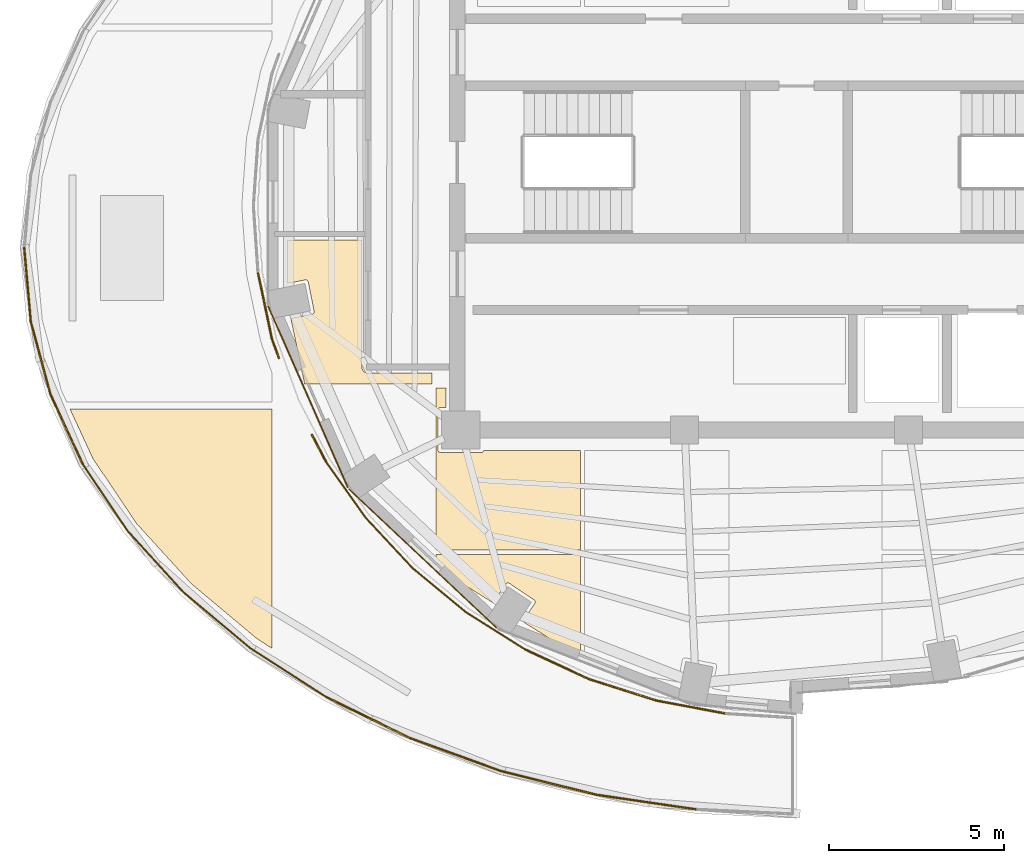
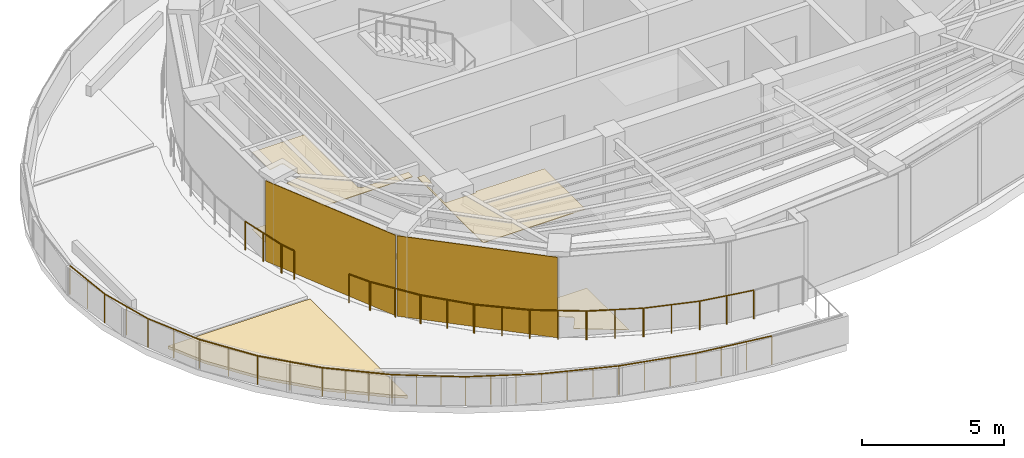
# One storey, part 12 of 15: 21 railings, 7 coverings.
"""IFC4 building model written with IfcOpenShell, lengths in metres."""

from ifc_helpers import new_model, si_unit, direction, frame, origin, origin_2d, place, context, subcontext, project, spatial, polyline, rectangle, circle, outline, extrude, material, layer, layer_set, type_object, element, save


model = new_model("IFC4")

# Units and contexts
model_context = context("Model", 3, precision=1e-05, world=origin(), true_north=direction((0.0, 1.0)))
body_context = subcontext(model_context, "Body", "Model", "MODEL_VIEW")
ifc_project = project(units=[si_unit("LENGTHUNIT", "METRE"), si_unit("AREAUNIT", "SQUARE_METRE"), si_unit("VOLUMEUNIT", "CUBIC_METRE"), si_unit("PLANEANGLEUNIT", "RADIAN"), si_unit("MASSUNIT", "GRAM", prefix="KILO")], contexts=[model_context])

# Site, building, storey
site_placement = place(None, origin())
site = spatial("IfcSite", under=ifc_project, at=site_placement, CompositionType="ELEMENT")
building_placement = place(site_placement, origin())
building = spatial("IfcBuilding", under=site, at=building_placement, Name="Lazwardi Medical Tower", CompositionType="ELEMENT")
storey_placement = place(building_placement, frame((0.0, 0.0, 269.615966796875)))
storey = spatial("IfcBuildingStorey", under=building, at=storey_placement, Name="L70", CompositionType="ELEMENT", Elevation=269.615966796875)

# Coverings
ifc_material_1 = material(Name="Anodised bronze aluminium cassette cladding", Category="aluminium")
ifc_layer_1 = layer(ifc_material_1, 0.030029296875)
ifc_layer_set_1 = layer_set([ifc_layer_1], Name="Anodised bronze aluminium cassette cladding")
covering_type_1 = type_object("IfcCoveringType", Name="COV-CLD-BRZ", PredefinedType="CLADDING", material=ifc_layer_set_1)
covering_1_placement = place(storey_placement, frame((22.032470703125, 21.3486328125, 0.0), z_axis=(0.0, 0.0, 1.0), x_axis=(0.402877682365, -0.915253829848, 0.0)))
element("IfcCovering", 1, at=covering_1_placement, inside=storey, type_object=covering_type_1, Name="L70 West drum ceramic/bronze cladding", PredefinedType="CLADDING", context=body_context, shape_type="SweptSolid", body=[
    extrude(rectangle(XDim=5.65576171875, YDim=0.030029296875, at=origin_2d()), origin(), (0.0, 0.0, 1.0), 3.447998046875),
])
covering_2_placement = place(storey_placement, frame((25.31201171875, 16.7294921875, 0.0), z_axis=(0.0, 0.0, 1.0), x_axis=(0.728254960063, -0.685306291481, 0.0)))
element("IfcCovering", 2, at=covering_2_placement, inside=storey, type_object=covering_type_1, Name="L70 West drum ceramic/bronze cladding", PredefinedType="CLADDING", context=body_context, shape_type="SweptSolid", body=[
    extrude(rectangle(XDim=5.78125, YDim=0.030029296875, at=origin_2d()), origin(), (0.0, 0.0, 1.0), 3.447998046875),
])
ifc_material_2 = material(Name="Acoustic mineral fibre tile")
ifc_layer_2 = layer(ifc_material_2, 0.02490234375)
ifc_layer_set_2 = layer_set([ifc_layer_2], Name="Acoustic mineral fibre tile")
covering_type_2 = type_object("IfcCoveringType", Name="COV-CLG-01", PredefinedType="CEILING", material=ifc_layer_set_2)
covering_3_placement = place(storey_placement, frame((0.0, 0.0, 3.302978515625)))
element("IfcCovering", 3, at=covering_3_placement, inside=storey, type_object=covering_type_2, Name="L70 Clinical Acoustic Ceiling 1", PredefinedType="CEILING", context=body_context, shape_type="SweptSolid", body=[
    extrude(outline(polyline([(25.57177734375, 22.02490234375), (23.75, 22.02490234375), (23.74560546875, 22.025146484375), (23.736328125, 22.025634765625), (23.7294921875, 22.0263671875), (23.72021484375, 22.027587890625), (23.7119140625, 22.029296875), (23.702880859375, 22.031494140625), (23.69580078125, 22.03369140625), (23.68701171875, 22.03662109375), (23.67919921875, 22.0400390625), (23.6708984375, 22.0439453125), (23.6640625, 22.047607421875), (23.656005859375, 22.052490234375), (23.6494140625, 22.056884765625), (23.641845703125, 22.0625), (23.63623046875, 22.067138671875), (23.62939453125, 22.0732421875), (23.623291015625, 22.079345703125), (23.6171875, 22.086181640625), (23.612548828125, 22.091796875), (23.60693359375, 22.099365234375), (23.602294921875, 22.10595703125), (23.59765625, 22.114013671875), (23.593994140625, 22.120849609375), (23.590087890625, 22.129150390625), (23.586669921875, 22.136962890625), (23.58349609375, 22.145751953125), (23.58154296875, 22.15283203125), (23.5791015625, 22.161865234375), (23.57763671875, 22.17041015625), (23.576416015625, 22.179443359375), (23.57568359375, 22.186279296875), (23.5751953125, 22.19580078125), (23.574951171875, 22.199951171875), (23.574951171875, 25.8349609375), (21.44189453125, 25.8349609375), (21.44189453125, 24.589599609375), (21.94580078125, 24.689697265625), (21.95361328125, 24.69091796875), (21.96142578125, 24.69140625), (21.96923828125, 24.69091796875), (21.97705078125, 24.689697265625), (21.984619140625, 24.68798828125), (21.9921875, 24.685302734375), (21.999267578125, 24.681884765625), (22.005859375, 24.677734375), (22.01220703125, 24.673095703125), (22.01806640625, 24.66796875), (22.023193359375, 24.662109375), (22.028076171875, 24.65576171875), (22.031982421875, 24.64892578125), (22.035400390625, 24.641845703125), (22.0380859375, 24.634521484375), (22.0400390625, 24.626953125), (22.203857421875, 23.802978515625), (22.205078125, 23.79541015625), (22.205322265625, 23.78759765625), (22.205078125, 23.77978515625), (22.203857421875, 23.77197265625), (22.201904296875, 23.764404296875), (22.19921875, 23.7568359375), (22.196044921875, 23.749755859375), (22.19189453125, 23.7431640625), (22.187255859375, 23.73681640625), (22.181884765625, 23.73095703125), (22.17626953125, 23.7255859375), (22.169921875, 23.720947265625), (22.1630859375, 23.716796875), (22.156005859375, 23.713623046875), (22.148681640625, 23.7109375), (22.14111328125, 23.708984375), (21.54052734375, 23.589599609375), (21.9365234375, 21.71630859375), (25.57177734375, 21.71630859375), (25.57177734375, 22.02490234375)])), origin(), (0.0, 0.0, 1.0), 0.025146484375),
])
covering_4_placement = place(storey_placement, frame((0.0, 0.0, 3.302978515625)))
element("IfcCovering", 4, at=covering_4_placement, inside=storey, type_object=covering_type_2, Name="L70 Clinical Acoustic Ceiling 2", PredefinedType="CEILING", context=body_context, shape_type="SweptSolid", body=[
    extrude(outline(polyline([(29.82177734375, 19.820068359375), (27.04931640625, 19.820068359375), (27.048583984375, 19.814453125), (27.046630859375, 19.806884765625), (27.0439453125, 19.79931640625), (27.04052734375, 19.792236328125), (27.03662109375, 19.78564453125), (27.03173828125, 19.779296875), (27.026611328125, 19.7734375), (27.020751953125, 19.768310546875), (27.014404296875, 19.763427734375), (27.0078125, 19.759521484375), (27.00048828125, 19.756103515625), (26.9931640625, 19.75341796875), (26.985595703125, 19.75146484375), (26.977783203125, 19.75048828125), (26.969970703125, 19.75), (25.830078125, 19.75), (25.822265625, 19.75048828125), (25.814453125, 19.75146484375), (25.806884765625, 19.75341796875), (25.79931640625, 19.756103515625), (25.792236328125, 19.759521484375), (25.78564453125, 19.763427734375), (25.779296875, 19.768310546875), (25.7734375, 19.7734375), (25.768310546875, 19.779296875), (25.763427734375, 19.78564453125), (25.759521484375, 19.792236328125), (25.756103515625, 19.79931640625), (25.75341796875, 19.806884765625), (25.75146484375, 19.814453125), (25.75048828125, 19.822265625), (25.75, 19.830078125), (25.75, 20.969970703125), (25.75048828125, 20.977783203125), (25.75146484375, 20.985595703125), (25.75341796875, 20.9931640625), (25.756103515625, 21.00048828125), (25.759521484375, 21.0078125), (25.763427734375, 21.014404296875), (25.768310546875, 21.020751953125), (25.7734375, 21.026611328125), (25.779296875, 21.03173828125), (25.78564453125, 21.03662109375), (25.792236328125, 21.04052734375), (25.79931640625, 21.0439453125), (25.806884765625, 21.046630859375), (25.814453125, 21.048583984375), (25.822265625, 21.049560546875), (25.830078125, 21.050048828125), (25.969970703125, 21.050048828125), (25.969970703125, 21.596435546875), (25.69189453125, 21.596435546875), (25.69189453125, 16.96630859375), (29.82177734375, 16.96630859375), (29.82177734375, 19.820068359375)])), origin(), (0.0, 0.0, 1.0), 0.025146484375),
])
ifc_material_3 = material(Name="Anti-static hospital vinyl sheet flooring")
ifc_layer_3 = layer(ifc_material_3, 0.014892578125)
ifc_layer_set_3 = layer_set([ifc_layer_3], Name="Anti-static hospital vinyl sheet flooring")
covering_type_3 = type_object("IfcCoveringType", Name="COV-FLR-01", PredefinedType="FLOORING", material=ifc_layer_set_3)
covering_5_placement = place(storey_placement, origin())
element("IfcCovering", 5, at=covering_5_placement, inside=storey, type_object=covering_type_3, Name="L70 Clinical Vinyl Flooring 1", PredefinedType="FLOORING", context=body_context, shape_type="SweptSolid", body=[
    extrude(outline(polyline([(25.57177734375, 22.02490234375), (23.75, 22.02490234375), (23.74560546875, 22.025146484375), (23.736328125, 22.025634765625), (23.7294921875, 22.0263671875), (23.72021484375, 22.027587890625), (23.7119140625, 22.029296875), (23.702880859375, 22.031494140625), (23.69580078125, 22.03369140625), (23.68701171875, 22.03662109375), (23.67919921875, 22.0400390625), (23.6708984375, 22.0439453125), (23.6640625, 22.047607421875), (23.656005859375, 22.052490234375), (23.6494140625, 22.056884765625), (23.641845703125, 22.0625), (23.63623046875, 22.067138671875), (23.62939453125, 22.0732421875), (23.623291015625, 22.079345703125), (23.6171875, 22.086181640625), (23.612548828125, 22.091796875), (23.60693359375, 22.099365234375), (23.602294921875, 22.10595703125), (23.59765625, 22.114013671875), (23.593994140625, 22.120849609375), (23.590087890625, 22.129150390625), (23.586669921875, 22.136962890625), (23.58349609375, 22.145751953125), (23.58154296875, 22.15283203125), (23.5791015625, 22.161865234375), (23.57763671875, 22.17041015625), (23.576416015625, 22.179443359375), (23.57568359375, 22.186279296875), (23.5751953125, 22.19580078125), (23.574951171875, 22.199951171875), (23.574951171875, 25.8349609375), (21.44189453125, 25.8349609375), (21.44189453125, 24.589599609375), (21.94580078125, 24.689697265625), (21.95361328125, 24.69091796875), (21.96142578125, 24.69140625), (21.96923828125, 24.69091796875), (21.97705078125, 24.689697265625), (21.984619140625, 24.68798828125), (21.9921875, 24.685302734375), (21.999267578125, 24.681884765625), (22.005859375, 24.677734375), (22.01220703125, 24.673095703125), (22.01806640625, 24.66796875), (22.023193359375, 24.662109375), (22.028076171875, 24.65576171875), (22.031982421875, 24.64892578125), (22.035400390625, 24.641845703125), (22.0380859375, 24.634521484375), (22.0400390625, 24.626953125), (22.203857421875, 23.802978515625), (22.205078125, 23.79541015625), (22.205322265625, 23.78759765625), (22.205078125, 23.77978515625), (22.203857421875, 23.77197265625), (22.201904296875, 23.764404296875), (22.19921875, 23.7568359375), (22.196044921875, 23.749755859375), (22.19189453125, 23.7431640625), (22.187255859375, 23.73681640625), (22.181884765625, 23.73095703125), (22.17626953125, 23.7255859375), (22.169921875, 23.720947265625), (22.1630859375, 23.716796875), (22.156005859375, 23.713623046875), (22.148681640625, 23.7109375), (22.14111328125, 23.708984375), (21.54052734375, 23.589599609375), (21.9365234375, 21.71630859375), (25.57177734375, 21.71630859375), (25.57177734375, 22.02490234375)])), origin(), (0.0, 0.0, 1.0), 0.01513671875),
])
covering_6_placement = place(storey_placement, origin())
element("IfcCovering", 6, at=covering_6_placement, inside=storey, type_object=covering_type_3, Name="L70 Clinical Vinyl Flooring 2", PredefinedType="FLOORING", context=body_context, shape_type="SweptSolid", body=[
    extrude(outline(polyline([(25.69189453125, 16.4833984375), (27.32080078125, 15.458984375), (27.6787109375, 15.994384765625), (27.683349609375, 16.000732421875), (27.6884765625, 16.006591796875), (27.6943359375, 16.01171875), (27.70068359375, 16.016357421875), (27.70751953125, 16.0205078125), (27.714599609375, 16.023681640625), (27.721923828125, 16.026611328125), (27.7294921875, 16.0283203125), (27.7373046875, 16.029541015625), (27.7451171875, 16.02978515625), (27.7529296875, 16.029541015625), (27.7607421875, 16.0283203125), (27.768310546875, 16.026611328125), (27.775634765625, 16.023681640625), (27.78271484375, 16.0205078125), (27.78955078125, 16.016357421875), (28.48779296875, 15.5498046875), (28.494384765625, 15.544921875), (28.5, 15.539794921875), (28.50537109375, 15.533935546875), (28.510009765625, 15.527587890625), (28.51416015625, 15.52099609375), (28.517333984375, 15.513916015625), (28.52001953125, 15.50634765625), (28.52197265625, 15.498779296875), (28.523193359375, 15.490966796875), (28.5234375, 15.483154296875), (28.523193359375, 15.475341796875), (28.52197265625, 15.467529296875), (28.52001953125, 15.4599609375), (28.517333984375, 15.45263671875), (28.51416015625, 15.445556640625), (28.510009765625, 15.438720703125), (28.167724609375, 14.926513671875), (29.82177734375, 13.886962890625), (29.82177734375, 16.846435546875), (25.69189453125, 16.846435546875), (25.69189453125, 16.4833984375)])), origin(), (0.0, 0.0, 1.0), 0.01513671875),
])
ifc_material_4 = material(Name="EPDM waterproof membrane and XPS insulation")
ifc_layer_4 = layer(ifc_material_4, 0.1201171875)
ifc_layer_set_4 = layer_set([ifc_layer_4], Name="EPDM waterproof membrane and XPS insulation")
covering_type_4 = type_object("IfcCoveringType", Name="COV-ROOF-01", PredefinedType="ROOFING", material=ifc_layer_set_4)
covering_7_placement = place(storey_placement, origin())
element("IfcCovering", 7, at=covering_7_placement, inside=storey, type_object=covering_type_4, Name="L70 West Terrace Waterproofing Membrane 1", PredefinedType="ROOFING", context=body_context, shape_type="SweptSolid", body=[
    extrude(outline(polyline([(21.0, 14.16015625), (21.0, 21.0), (15.228515625, 21.0), (15.88330078125, 19.58349609375), (17.12939453125, 17.728515625), (18.699951171875, 16.002685546875), (20.569580078125, 14.437255859375), (21.0, 14.16015625)])), origin(), (0.0, 0.0, 1.0), 0.1201171875),
])

# Railings
ifc_material_5 = material(Name="Anodised bronze aluminium and laminated glass", Category="aluminium")
railing_type = type_object("IfcRailingType", Name="RLG-SKG-1250", PredefinedType="GUARDRAIL", material=ifc_material_5)
railing_1_placement = place(storey_placement, frame((33.114013671875, 9.55908203125, 0.0)))
element("IfcRailing", 8, at=railing_1_placement, inside=storey, type_object=railing_type, Name="L70 West Roof Terrace Perimeter Guard 02", PredefinedType="GUARDRAIL", context=body_context, shape_type="SweptSolid", body=[
    extrude(circle(Radius=0.02392578125, at=origin_2d()), frame((0.0, 0.0, 1.22607421875), z_axis=(-0.989501795723, 0.144520573831, 0.0), x_axis=(-0.144520573831, -0.989501795723, 0.0)), (0.0, 0.0, 1.0), 2.86669921875),
    extrude(circle(Radius=0.02099609375, at=origin_2d()), origin(), (0.0, 0.0, 1.0), 1.199951171875),
    extrude(circle(Radius=0.02099609375, at=origin_2d()), frame((-0.945556640625, 0.13818359375, 0.0)), (0.0, 0.0, 1.0), 1.199951171875),
    extrude(circle(Radius=0.02099609375, at=origin_2d()), frame((-1.89111328125, 0.276123046875, 0.0)), (0.0, 0.0, 1.0), 1.199951171875),
    extrude(circle(Radius=0.02099609375, at=origin_2d()), frame((-2.836669921875, 0.414306640625, 0.0)), (0.0, 0.0, 1.0), 1.199951171875),
])
railing_2_placement = place(storey_placement, frame((30.27734375, 9.973388671875, 0.0)))
element("IfcRailing", 9, at=railing_2_placement, inside=storey, type_object=railing_type, Name="L70 West Roof Terrace Perimeter Guard 03", PredefinedType="GUARDRAIL", context=body_context, shape_type="SweptSolid", body=[
    extrude(circle(Radius=0.02392578125, at=origin_2d()), frame((0.0, 0.0, 1.22607421875), z_axis=(-0.970320367642, 0.241823043028, 0.0), x_axis=(-0.241823043028, -0.970320367642, 0.0)), (0.0, 0.0, 1.0), 2.82177734375),
    extrude(circle(Radius=0.02099609375, at=origin_2d()), origin(), (0.0, 0.0, 1.0), 1.199951171875),
    extrude(circle(Radius=0.02099609375, at=origin_2d()), frame((-0.91259765625, 0.2275390625, 0.0)), (0.0, 0.0, 1.0), 1.199951171875),
    extrude(circle(Radius=0.02099609375, at=origin_2d()), frame((-1.825439453125, 0.454833984375, 0.0)), (0.0, 0.0, 1.0), 1.199951171875),
    extrude(circle(Radius=0.02099609375, at=origin_2d()), frame((-2.738037109375, 0.682373046875, 0.0)), (0.0, 0.0, 1.0), 1.199951171875),
])
railing_3_placement = place(storey_placement, frame((27.539306640625, 10.65576171875, 0.0)))
element("IfcRailing", 10, at=railing_3_placement, inside=storey, type_object=railing_type, Name="L70 West Roof Terrace Perimeter Guard 04", PredefinedType="GUARDRAIL", context=body_context, shape_type="SweptSolid", body=[
    extrude(circle(Radius=0.02392578125, at=origin_2d()), frame((0.0, 0.0, 1.22607421875), z_axis=(-0.940250209735, 0.340484277306, 0.0), x_axis=(-0.340484277306, -0.940250209735, 0.0)), (0.0, 0.0, 1.0), 2.757080078125),
    extrude(circle(Radius=0.02099609375, at=origin_2d()), origin(), (0.0, 0.0, 1.0), 1.199951171875),
    extrude(circle(Radius=0.02099609375, at=origin_2d()), frame((-0.864013671875, 0.31298828125, 0.0)), (0.0, 0.0, 1.0), 1.199951171875),
    extrude(circle(Radius=0.02099609375, at=origin_2d()), frame((-1.728271484375, 0.625732421875, 0.0)), (0.0, 0.0, 1.0), 1.199951171875),
    extrude(circle(Radius=0.02099609375, at=origin_2d()), frame((-2.59228515625, 0.938720703125, 0.0)), (0.0, 0.0, 1.0), 1.199951171875),
])
railing_4_placement = place(storey_placement, frame((24.947021484375, 11.594482421875, 0.0)))
element("IfcRailing", 11, at=railing_4_placement, inside=storey, type_object=railing_type, Name="L70 West Roof Terrace Perimeter Guard 05", PredefinedType="GUARDRAIL", context=body_context, shape_type="SweptSolid", body=[
    extrude(circle(Radius=0.02392578125, at=origin_2d()), frame((0.0, 0.0, 1.22607421875), z_axis=(-0.897795536316, 0.440412505467, 0.0), x_axis=(-0.440412505467, -0.897795536316, 0.0)), (0.0, 0.0, 1.0), 2.67578125),
    extrude(circle(Radius=0.02099609375, at=origin_2d()), origin(), (0.0, 0.0, 1.0), 1.199951171875),
    extrude(circle(Radius=0.02099609375, at=origin_2d()), frame((-0.80078125, 0.392822265625, 0.0)), (0.0, 0.0, 1.0), 1.199951171875),
    extrude(circle(Radius=0.02099609375, at=origin_2d()), frame((-1.6015625, 0.78564453125, 0.0)), (0.0, 0.0, 1.0), 1.199951171875),
    extrude(circle(Radius=0.02099609375, at=origin_2d()), frame((-2.40234375, 1.178466796875, 0.0)), (0.0, 0.0, 1.0), 1.199951171875),
])
railing_5_placement = place(storey_placement, frame((22.544677734375, 12.77294921875, 0.0)))
element("IfcRailing", 12, at=railing_5_placement, inside=storey, type_object=railing_type, Name="L70 West Roof Terrace Perimeter Guard 06", PredefinedType="GUARDRAIL", context=body_context, shape_type="SweptSolid", body=[
    extrude(circle(Radius=0.02392578125, at=origin_2d()), frame((0.0, 0.0, 1.22607421875), z_axis=(-0.840788130606, 0.541364313039, 0.0), x_axis=(-0.541364313039, -0.840788130606, 0.0)), (0.0, 0.0, 1.0), 2.582275390625),
    extrude(circle(Radius=0.02099609375, at=origin_2d()), origin(), (0.0, 0.0, 1.0), 1.199951171875),
    extrude(circle(Radius=0.02099609375, at=origin_2d()), frame((-0.7236328125, 0.466064453125, 0.0)), (0.0, 0.0, 1.0), 1.199951171875),
    extrude(circle(Radius=0.02099609375, at=origin_2d()), frame((-1.447509765625, 0.931884765625, 0.0)), (0.0, 0.0, 1.0), 1.199951171875),
    extrude(circle(Radius=0.02099609375, at=origin_2d()), frame((-2.171142578125, 1.39794921875, 0.0)), (0.0, 0.0, 1.0), 1.199951171875),
])
railing_6_placement = place(storey_placement, frame((20.37353515625, 14.1708984375, 0.0)))
element("IfcRailing", 13, at=railing_6_placement, inside=storey, type_object=railing_type, Name="L70 West Roof Terrace Perimeter Guard 07", PredefinedType="GUARDRAIL", context=body_context, shape_type="SweptSolid", body=[
    extrude(circle(Radius=0.02392578125, at=origin_2d()), frame((0.0, 0.0, 1.22607421875), z_axis=(-0.766727264554, 0.641972975903, 0.0), x_axis=(-0.641972975903, -0.766727264554, 0.0)), (0.0, 0.0, 1.0), 2.4814453125),
    extrude(circle(Radius=0.02099609375, at=origin_2d()), origin(), (0.0, 0.0, 1.0), 1.199951171875),
    extrude(circle(Radius=0.02099609375, at=origin_2d()), frame((-0.63427734375, 0.531005859375, 0.0)), (0.0, 0.0, 1.0), 1.199951171875),
    extrude(circle(Radius=0.02099609375, at=origin_2d()), frame((-1.268310546875, 1.06201171875, 0.0)), (0.0, 0.0, 1.0), 1.199951171875),
    extrude(circle(Radius=0.02099609375, at=origin_2d()), frame((-1.902587890625, 1.593017578125, 0.0)), (0.0, 0.0, 1.0), 1.199951171875),
])
railing_7_placement = place(storey_placement, frame((18.470947265625, 15.763916015625, 0.0)))
element("IfcRailing", 14, at=railing_7_placement, inside=storey, type_object=railing_type, Name="L70 West Roof Terrace Perimeter Guard 08", PredefinedType="GUARDRAIL", context=body_context, shape_type="SweptSolid", body=[
    extrude(circle(Radius=0.02392578125, at=origin_2d()), frame((0.0, 0.0, 1.22607421875), z_axis=(-0.673091337238, 0.739559363226, 0.0), x_axis=(-0.739559363226, -0.673091337238, 0.0)), (0.0, 0.0, 1.0), 2.380126953125),
    extrude(circle(Radius=0.02099609375, at=origin_2d()), origin(), (0.0, 0.0, 1.0), 1.199951171875),
    extrude(circle(Radius=0.02099609375, at=origin_2d()), frame((-0.801025390625, 0.880126953125, 0.0)), (0.0, 0.0, 1.0), 1.199951171875),
    extrude(circle(Radius=0.02099609375, at=origin_2d()), frame((-1.60205078125, 1.76025390625, 0.0)), (0.0, 0.0, 1.0), 1.199951171875),
])
railing_8_placement = place(storey_placement, frame((16.868896484375, 17.524169921875, 0.0)))
element("IfcRailing", 15, at=railing_8_placement, inside=storey, type_object=railing_type, Name="L70 West Roof Terrace Perimeter Guard 09", PredefinedType="GUARDRAIL", context=body_context, shape_type="SweptSolid", body=[
    extrude(circle(Radius=0.02392578125, at=origin_2d()), frame((0.0, 0.0, 1.22607421875), z_axis=(-0.557532010169, 0.830155441852, 0.0), x_axis=(-0.830155441852, -0.557532010169, 0.0)), (0.0, 0.0, 1.0), 2.285400390625),
    extrude(circle(Radius=0.02099609375, at=origin_2d()), origin(), (0.0, 0.0, 1.0), 1.199951171875),
    extrude(circle(Radius=0.02099609375, at=origin_2d()), frame((-0.63720703125, 0.94873046875, 0.0)), (0.0, 0.0, 1.0), 1.199951171875),
    extrude(circle(Radius=0.02099609375, at=origin_2d()), frame((-1.274169921875, 1.897216796875, 0.0)), (0.0, 0.0, 1.0), 1.199951171875),
])
railing_9_placement = place(storey_placement, frame((15.5947265625, 19.42138671875, 0.0)))
element("IfcRailing", 16, at=railing_9_placement, inside=storey, type_object=railing_type, Name="L70 West Roof Terrace Perimeter Guard 10", PredefinedType="GUARDRAIL", context=body_context, shape_type="SweptSolid", body=[
    extrude(circle(Radius=0.02392578125, at=origin_2d()), frame((0.0, 0.0, 1.22607421875), z_axis=(-0.419626965555, 0.907696650748, 0.0), x_axis=(-0.907696650748, -0.419626965555, 0.0)), (0.0, 0.0, 1.0), 2.204345703125),
    extrude(circle(Radius=0.02099609375, at=origin_2d()), origin(), (0.0, 0.0, 1.0), 1.199951171875),
    extrude(circle(Radius=0.02099609375, at=origin_2d()), frame((-0.46240234375, 1.00048828125, 0.0)), (0.0, 0.0, 1.0), 1.199951171875),
    extrude(circle(Radius=0.02099609375, at=origin_2d()), frame((-0.925048828125, 2.0009765625, 0.0)), (0.0, 0.0, 1.0), 1.199951171875),
])
railing_10_placement = place(storey_placement, frame((14.669677734375, 21.42236328125, 0.0)))
element("IfcRailing", 17, at=railing_10_placement, inside=storey, type_object=railing_type, Name="L70 West Roof Terrace Perimeter Guard 11", PredefinedType="GUARDRAIL", context=body_context, shape_type="SweptSolid", body=[
    extrude(circle(Radius=0.02392578125, at=origin_2d()), frame((0.0, 0.0, 1.22607421875), z_axis=(-0.261547962546, 0.965190480314, 0.0), x_axis=(-0.965190480314, -0.261547962546, 0.0)), (0.0, 0.0, 1.0), 2.14599609375),
    extrude(circle(Radius=0.02099609375, at=origin_2d()), origin(), (0.0, 0.0, 1.0), 1.199951171875),
    extrude(circle(Radius=0.02099609375, at=origin_2d()), frame((-0.28076171875, 1.03564453125, 0.0)), (0.0, 0.0, 1.0), 1.199951171875),
    extrude(circle(Radius=0.02099609375, at=origin_2d()), frame((-0.561279296875, 2.0712890625, 0.0)), (0.0, 0.0, 1.0), 1.199951171875),
])
railing_11_placement = place(storey_placement, frame((14.1083984375, 23.49365234375, 0.0)))
element("IfcRailing", 18, at=railing_11_placement, inside=storey, type_object=railing_type, Name="L70 West Roof Terrace Perimeter Guard 12", PredefinedType="GUARDRAIL", context=body_context, shape_type="SweptSolid", body=[
    extrude(circle(Radius=0.02392578125, at=origin_2d()), frame((0.0, 0.0, 1.22607421875), z_axis=(-0.088891034372, 0.996041356575, 0.0), x_axis=(-0.996041356575, -0.088891034372, 0.0)), (0.0, 0.0, 1.0), 2.11474609375),
    extrude(circle(Radius=0.02099609375, at=origin_2d()), origin(), (0.0, 0.0, 1.0), 1.199951171875),
    extrude(circle(Radius=0.02099609375, at=origin_2d()), frame((-0.093994140625, 1.05322265625, 0.0)), (0.0, 0.0, 1.0), 1.199951171875),
    extrude(circle(Radius=0.02099609375, at=origin_2d()), frame((-0.18798828125, 2.1064453125, 0.0)), (0.0, 0.0, 1.0), 1.199951171875),
])
railing_12_placement = place(storey_placement, frame((20.6044921875, 24.880615234375, 0.0)))
element("IfcRailing", 19, at=railing_12_placement, inside=storey, type_object=railing_type, Name="L70 West Roof Terrace Perimeter Guard 39", PredefinedType="GUARDRAIL", context=body_context, shape_type="SweptSolid", body=[
    extrude(circle(Radius=0.02392578125, at=origin_2d()), frame((0.0, 0.0, 1.22607421875), z_axis=(0.206722240115, -0.978399670606, 0.0), x_axis=(0.978399670606, 0.206722240115, 0.0)), (0.0, 0.0, 1.0), 1.9013671875),
    extrude(circle(Radius=0.02099609375, at=origin_2d()), origin(), (0.0, 0.0, 1.0), 1.199951171875),
    extrude(circle(Radius=0.02099609375, at=origin_2d()), frame((0.196533203125, -0.93017578125, 0.0)), (0.0, 0.0, 1.0), 1.199951171875),
    extrude(circle(Radius=0.02099609375, at=origin_2d()), frame((0.39306640625, -1.8603515625, 0.0)), (0.0, 0.0, 1.0), 1.199951171875),
])
railing_13_placement = place(storey_placement, frame((21.00244140625, 23.0029296875, 0.0)))
element("IfcRailing", 20, at=railing_13_placement, inside=storey, type_object=railing_type, Name="L70 West Roof Terrace Perimeter Guard 40", PredefinedType="GUARDRAIL", context=body_context, shape_type="SweptSolid", body=[
    extrude(circle(Radius=0.02392578125, at=origin_2d()), frame((0.0, 0.0, 1.22607421875), z_axis=(0.339106795407, -0.940747884031, 0.0), x_axis=(0.940747884031, 0.339106795407, 0.0)), (0.0, 0.0, 1.0), 0.580322265625),
    extrude(circle(Radius=0.02099609375, at=origin_2d()), origin(), (0.0, 0.0, 1.0), 1.199951171875),
    extrude(circle(Radius=0.02099609375, at=origin_2d()), frame((0.19677734375, -0.5458984375, 0.0)), (0.0, 0.0, 1.0), 1.199951171875),
])
railing_14_placement = place(storey_placement, frame((22.14453125, 20.26025390625, 0.0)))
element("IfcRailing", 21, at=railing_14_placement, inside=storey, type_object=railing_type, Name="L70 West Roof Terrace Perimeter Guard 41", PredefinedType="GUARDRAIL", context=body_context, shape_type="SweptSolid", body=[
    extrude(circle(Radius=0.02392578125, at=origin_2d()), frame((0.0, 0.0, 1.22607421875), z_axis=(0.463975529471, -0.885848016339, 0.0), x_axis=(0.885848016339, 0.463975529471, 0.0)), (0.0, 0.0, 1.0), 0.869873046875),
    extrude(circle(Radius=0.02099609375, at=origin_2d()), origin(), (0.0, 0.0, 1.0), 1.199951171875),
    extrude(circle(Radius=0.02099609375, at=origin_2d()), frame((0.403564453125, -0.7705078125, 0.0)), (0.0, 0.0, 1.0), 1.199951171875),
])
railing_15_placement = place(storey_placement, frame((22.55712890625, 19.474853515625, 0.0)))
element("IfcRailing", 22, at=railing_15_placement, inside=storey, type_object=railing_type, Name="L70 West Roof Terrace Perimeter Guard 42", PredefinedType="GUARDRAIL", context=body_context, shape_type="SweptSolid", body=[
    extrude(circle(Radius=0.02392578125, at=origin_2d()), frame((0.0, 0.0, 1.22607421875), z_axis=(0.578787627569, -0.815478314962, 0.0), x_axis=(0.815478314962, 0.578787627569, 0.0)), (0.0, 0.0, 1.0), 1.93408203125),
    extrude(circle(Radius=0.02099609375, at=origin_2d()), origin(), (0.0, 0.0, 1.0), 1.199951171875),
    extrude(circle(Radius=0.02099609375, at=origin_2d()), frame((0.5595703125, -0.78857421875, 0.0)), (0.0, 0.0, 1.0), 1.199951171875),
    extrude(circle(Radius=0.02099609375, at=origin_2d()), frame((1.119384765625, -1.5771484375, 0.0)), (0.0, 0.0, 1.0), 1.199951171875),
])
railing_16_placement = place(storey_placement, frame((23.687255859375, 17.884521484375, 0.0)))
element("IfcRailing", 23, at=railing_16_placement, inside=storey, type_object=railing_type, Name="L70 West Roof Terrace Perimeter Guard 43", PredefinedType="GUARDRAIL", context=body_context, shape_type="SweptSolid", body=[
    extrude(circle(Radius=0.02392578125, at=origin_2d()), frame((0.0, 0.0, 1.22607421875), z_axis=(0.681541168311, -0.731779772813, 0.0), x_axis=(0.731779772813, 0.681541168311, 0.0)), (0.0, 0.0, 1.0), 1.94873046875),
    extrude(circle(Radius=0.02099609375, at=origin_2d()), origin(), (0.0, 0.0, 1.0), 1.199951171875),
    extrude(circle(Radius=0.02099609375, at=origin_2d()), frame((0.6640625, -0.712890625, 0.0)), (0.0, 0.0, 1.0), 1.199951171875),
    extrude(circle(Radius=0.02099609375, at=origin_2d()), frame((1.328125, -1.426025390625, 0.0)), (0.0, 0.0, 1.0), 1.199951171875),
])
railing_17_placement = place(storey_placement, frame((25.02783203125, 16.44677734375, 0.0)))
element("IfcRailing", 24, at=railing_17_placement, inside=storey, type_object=railing_type, Name="L70 West Roof Terrace Perimeter Guard 44", PredefinedType="GUARDRAIL", context=body_context, shape_type="SweptSolid", body=[
    extrude(circle(Radius=0.02392578125, at=origin_2d()), frame((0.0, 0.0, 1.22607421875), z_axis=(0.771097078854, -0.636717594372, 0.0), x_axis=(0.636717594372, 0.771097078854, 0.0)), (0.0, 0.0, 1.0), 1.9638671875),
    extrude(circle(Radius=0.02099609375, at=origin_2d()), origin(), (0.0, 0.0, 1.0), 1.199951171875),
    extrude(circle(Radius=0.02099609375, at=origin_2d()), frame((0.75732421875, -0.625244140625, 0.0)), (0.0, 0.0, 1.0), 1.199951171875),
    extrude(circle(Radius=0.02099609375, at=origin_2d()), frame((1.514404296875, -1.25048828125, 0.0)), (0.0, 0.0, 1.0), 1.199951171875),
])
railing_18_placement = place(storey_placement, frame((26.555908203125, 15.186279296875, 0.0)))
element("IfcRailing", 25, at=railing_18_placement, inside=storey, type_object=railing_type, Name="L70 West Roof Terrace Perimeter Guard 45", PredefinedType="GUARDRAIL", context=body_context, shape_type="SweptSolid", body=[
    extrude(circle(Radius=0.02392578125, at=origin_2d()), frame((0.0, 0.0, 1.22607421875), z_axis=(0.846414109789, -0.532525262077, 0.0), x_axis=(0.532525262077, 0.846414109789, 0.0)), (0.0, 0.0, 1.0), 1.978759765625),
    extrude(circle(Radius=0.02099609375, at=origin_2d()), origin(), (0.0, 0.0, 1.0), 1.199951171875),
    extrude(circle(Radius=0.02099609375, at=origin_2d()), frame((0.83740234375, -0.52685546875, 0.0)), (0.0, 0.0, 1.0), 1.199951171875),
    extrude(circle(Radius=0.02099609375, at=origin_2d()), frame((1.6748046875, -1.0537109375, 0.0)), (0.0, 0.0, 1.0), 1.199951171875),
])
railing_19_placement = place(storey_placement, frame((28.245361328125, 14.124755859375, 0.0)))
element("IfcRailing", 26, at=railing_19_placement, inside=storey, type_object=railing_type, Name="L70 West Roof Terrace Perimeter Guard 46", PredefinedType="GUARDRAIL", context=body_context, shape_type="SweptSolid", body=[
    extrude(circle(Radius=0.02392578125, at=origin_2d()), frame((0.0, 0.0, 1.22607421875), z_axis=(0.906995591672, -0.421140115268, 0.0), x_axis=(0.421140115268, 0.906995591672, 0.0)), (0.0, 0.0, 1.0), 1.991943359375),
    extrude(circle(Radius=0.02099609375, at=origin_2d()), origin(), (0.0, 0.0, 1.0), 1.199951171875),
    extrude(circle(Radius=0.02099609375, at=origin_2d()), frame((0.9033203125, -0.41943359375, 0.0)), (0.0, 0.0, 1.0), 1.199951171875),
    extrude(circle(Radius=0.02099609375, at=origin_2d()), frame((1.806640625, -0.8388671875, 0.0)), (0.0, 0.0, 1.0), 1.199951171875),
])
railing_20_placement = place(storey_placement, frame((30.067138671875, 13.27978515625, 0.0)))
element("IfcRailing", 27, at=railing_20_placement, inside=storey, type_object=railing_type, Name="L70 West Roof Terrace Perimeter Guard 47", PredefinedType="GUARDRAIL", context=body_context, shape_type="SweptSolid", body=[
    extrude(circle(Radius=0.02392578125, at=origin_2d()), frame((0.0, 0.0, 1.22607421875), z_axis=(0.952571261819, -0.304315611097, 0.0), x_axis=(0.304315611097, 0.952571261819, 0.0)), (0.0, 0.0, 1.0), 2.00244140625),
    extrude(circle(Radius=0.02099609375, at=origin_2d()), origin(), (0.0, 0.0, 1.0), 1.199951171875),
    extrude(circle(Radius=0.02099609375, at=origin_2d()), frame((0.95361328125, -0.3046875, 0.0)), (0.0, 0.0, 1.0), 1.199951171875),
    extrude(circle(Radius=0.02099609375, at=origin_2d()), frame((1.907470703125, -0.609375, 0.0)), (0.0, 0.0, 1.0), 1.199951171875),
])
railing_21_placement = place(storey_placement, frame((31.990234375, 12.666259765625, 0.0)))
element("IfcRailing", 28, at=railing_21_placement, inside=storey, type_object=railing_type, Name="L70 West Roof Terrace Perimeter Guard 48", PredefinedType="GUARDRAIL", context=body_context, shape_type="SweptSolid", body=[
    extrude(circle(Radius=0.02392578125, at=origin_2d()), frame((0.0, 0.0, 1.22607421875), z_axis=(0.982903795582, -0.184119875708, 0.0), x_axis=(0.184119875708, 0.982903795582, 0.0)), (0.0, 0.0, 1.0), 2.01025390625),
    extrude(circle(Radius=0.02099609375, at=origin_2d()), origin(), (0.0, 0.0, 1.0), 1.199951171875),
    extrude(circle(Radius=0.02099609375, at=origin_2d()), frame((0.98779296875, -0.18505859375, 0.0)), (0.0, 0.0, 1.0), 1.199951171875),
    extrude(circle(Radius=0.02099609375, at=origin_2d()), frame((1.975830078125, -0.3701171875, 0.0)), (0.0, 0.0, 1.0), 1.199951171875),
])

save(model, "model.ifc")
